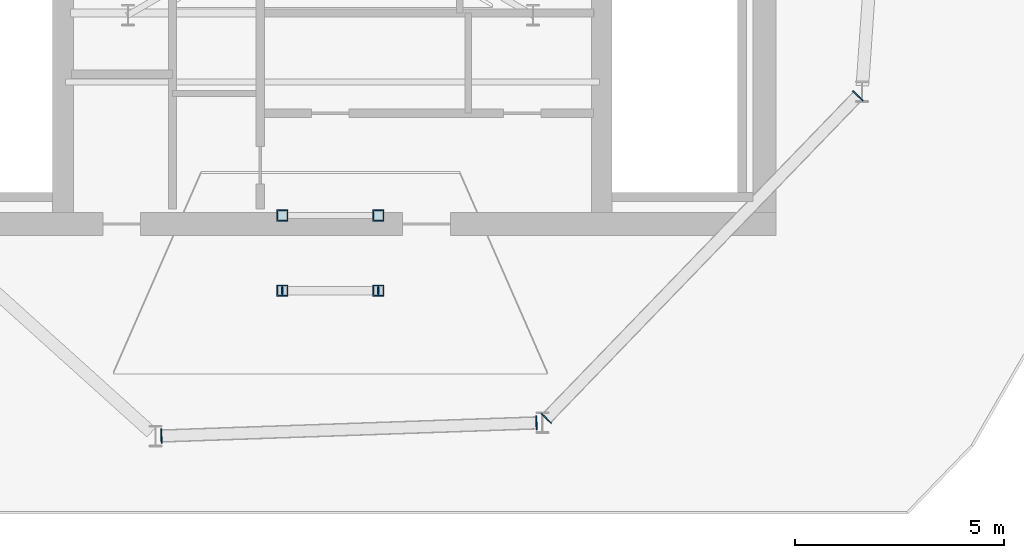
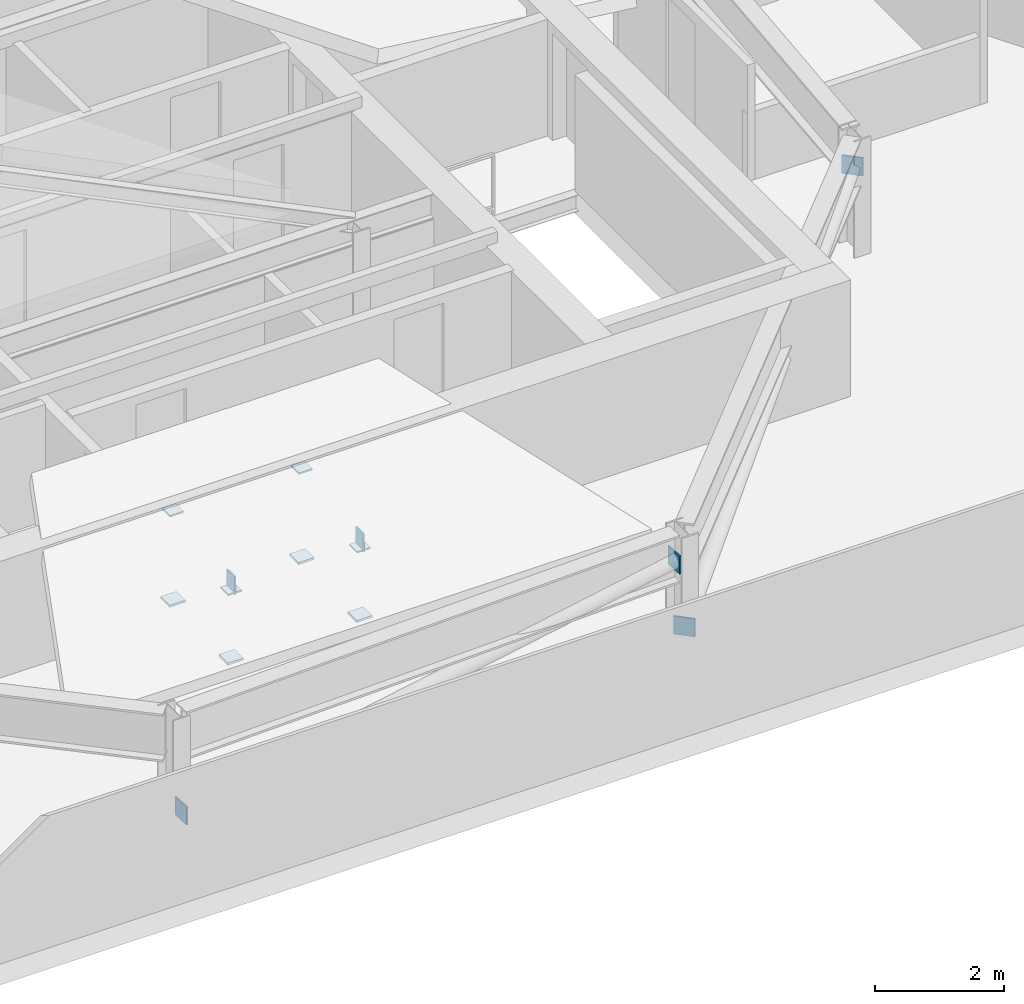
# One storey, part 5 of 9: 14 plates.
"""IFC4 building model written with IfcOpenShell, lengths in metres."""

from ifc_helpers import new_model, si_unit, direction, frame, origin, origin_2d, place, context, subcontext, project, spatial, rectangle, extrude, material, layer, layer_set, type_object, element, save


model = new_model("IFC4")

# Units and contexts
model_context = context("Model", 3, precision=1e-05, world=origin(), true_north=direction((0.0, 1.0)))
body_context = subcontext(model_context, "Body", "Model", "MODEL_VIEW")
ifc_project = project(units=[si_unit("LENGTHUNIT", "METRE"), si_unit("AREAUNIT", "SQUARE_METRE"), si_unit("VOLUMEUNIT", "CUBIC_METRE"), si_unit("PLANEANGLEUNIT", "RADIAN"), si_unit("MASSUNIT", "GRAM", prefix="KILO")], contexts=[model_context])

# Site, building, storey
site_placement = place(None, origin())
site = spatial("IfcSite", under=ifc_project, at=site_placement, CompositionType="ELEMENT")
building_placement = place(site_placement, origin())
building = spatial("IfcBuilding", under=site, at=building_placement, Name="Qarnah Convention Tower", CompositionType="ELEMENT")
storey_placement = place(building_placement, frame((0.0, 0.0, 292.89990234375)))
storey = spatial("IfcBuildingStorey", under=building, at=storey_placement, Name="L79", CompositionType="ELEMENT", Elevation=292.89990234375)

# Plates
ifc_material = material(Name="Structural steel S355JR", Category="steel")
ifc_layer_1 = layer(ifc_material, 0.0400390625)
ifc_layer_set_1 = layer_set([ifc_layer_1], Name="Structural steel S355JR")
plate_type_1 = type_object("IfcPlateType", Name="PLT-BASE-40", PredefinedType="USERDEFINED", material=ifc_layer_set_1)
for number, where, z_axis, x_axis, name in (
    (1, (36.050048828125, 18.800048828125, 0.0), (0.0, 0.0, 1.0), (1.0, 0.0, 0.0), "L79 purlin post base plate 2.1A"),
    (2, (38.35009765625, 18.800048828125, 0.0), (0.0, 0.0, 1.0), (1.0, 0.0, 0.0), "L79 purlin post base plate 2.1B"),
    (3, (36.050048828125, 17.0, 0.0), (0.0, 0.0, 1.0), (1.0, 0.0, 0.0), "L79 purlin post base plate 2.2A"),
    (4, (38.35009765625, 17.0, 0.0), (0.0, 0.0, 1.0), (1.0, 0.0, 0.0), "L79 purlin post base plate 2.2B"),
):
    element("IfcPlate", number, at=place(storey_placement, frame(where, z_axis=z_axis, x_axis=x_axis)), inside=storey, type_object=plate_type_1, Name=name, ObjectType="BASE_PLATE", PredefinedType="USERDEFINED", context=body_context, shape_type="SweptSolid", body=[
        extrude(rectangle(XDim=0.280029296875, YDim=0.280029296875, at=origin_2d()), origin(), (0.0, 0.0, 1.0), 0.0400390625),
    ])
ifc_layer_2 = layer(ifc_material, 0.028076171875)
ifc_layer_set_2 = layer_set([ifc_layer_2], Name="Structural steel S355JR")
plate_type_2 = type_object("IfcPlateType", Name="PLT-FLANGE-28", PredefinedType="USERDEFINED", material=ifc_layer_set_2)
for number, where, z_axis, x_axis, name in (
    (5, (33.153076171875, 13.51806640625, 0.080078125), (0.0, 0.0, 1.0), (0.999389608188, 0.034934382002, 0.0), "L79 crown brace end cap plate 07.1"),
    (6, (42.135986328125, 13.83203125, 1.47998046875), (0.0, 0.0, 1.0), (0.999389608188, 0.034934382002, 0.0), "L79 crown brace end cap plate 07.2"),
    (7, (42.373046875, 13.93798828125, 0.080078125), (0.0, 0.0, 1.0), (0.694712354349, 0.719287664787, 0.0), "L79 crown brace end cap plate 08.1"),
    (8, (49.8359375, 21.6650390625, 1.47998046875), (0.0, 0.0, 1.0), (0.694712354349, 0.719287664787, 0.0), "L79 crown brace end cap plate 08.2"),
):
    element("IfcPlate", number, at=place(storey_placement, frame(where, z_axis=z_axis, x_axis=x_axis)), inside=storey, type_object=plate_type_2, Name=name, ObjectType="FLANGE_PLATE", PredefinedType="USERDEFINED", context=body_context, shape_type="SweptSolid", body=[
        extrude(rectangle(XDim=0.028076171875, YDim=0.340087890625, at=origin_2d()), origin(), (0.0, 0.0, 1.0), 0.340087890625),
    ])
for number, where, z_axis, x_axis, name in (
    (9, (36.050048828125, 18.800048828125, 1.68603515625), (0.0, 0.0, 1.0), (1.0, 0.0, 0.0), "L79 purlin post cap plate 2.1A"),
    (10, (38.35009765625, 18.800048828125, 1.68603515625), (0.0, 0.0, 1.0), (1.0, 0.0, 0.0), "L79 purlin post cap plate 2.1B"),
    (11, (36.050048828125, 17.0, 1.2919921875), (0.0, 0.0, 1.0), (1.0, 0.0, 0.0), "L79 purlin post cap plate 2.2A"),
):
    element("IfcPlate", number, at=place(storey_placement, frame(where, z_axis=z_axis, x_axis=x_axis)), inside=storey, type_object=plate_type_2, Name=name, ObjectType="FLANGE_PLATE", PredefinedType="USERDEFINED", context=body_context, shape_type="SweptSolid", body=[
        extrude(rectangle(XDim=0.239990234375, YDim=0.239990234375, at=origin_2d()), origin(), (0.0, 0.0, 1.0), 0.028076171875),
    ])
plate_1_placement = place(storey_placement, frame((36.050048828125, 17.0, 1.27587890625), z_axis=(0.0, 0.0, 1.0), x_axis=(1.0, 0.0, 0.0)))
element("IfcPlate", 12, at=plate_1_placement, inside=storey, type_object=plate_type_2, Name="L79 purlin end cap plate 2.2A", ObjectType="FLANGE_PLATE", PredefinedType="USERDEFINED", context=body_context, shape_type="SweptSolid", body=[
    extrude(rectangle(XDim=0.028076171875, YDim=0.239990234375, at=origin_2d()), origin(), (0.0, 0.0, 1.0), 0.340087890625),
])
plate_2_placement = place(storey_placement, frame((38.35009765625, 17.0, 1.2919921875), z_axis=(0.0, 0.0, 1.0), x_axis=(1.0, 0.0, 0.0)))
element("IfcPlate", 13, at=plate_2_placement, inside=storey, type_object=plate_type_2, Name="L79 purlin post cap plate 2.2B", ObjectType="FLANGE_PLATE", PredefinedType="USERDEFINED", context=body_context, shape_type="SweptSolid", body=[
    extrude(rectangle(XDim=0.239990234375, YDim=0.239990234375, at=origin_2d()), origin(), (0.0, 0.0, 1.0), 0.028076171875),
])
plate_3_placement = place(storey_placement, frame((38.35009765625, 17.0, 1.27587890625), z_axis=(0.0, 0.0, 1.0), x_axis=(1.0, 0.0, 0.0)))
element("IfcPlate", 14, at=plate_3_placement, inside=storey, type_object=plate_type_2, Name="L79 purlin end cap plate 2.2B", ObjectType="FLANGE_PLATE", PredefinedType="USERDEFINED", context=body_context, shape_type="SweptSolid", body=[
    extrude(rectangle(XDim=0.028076171875, YDim=0.239990234375, at=origin_2d()), origin(), (0.0, 0.0, 1.0), 0.340087890625),
])

save(model, "model.ifc")
